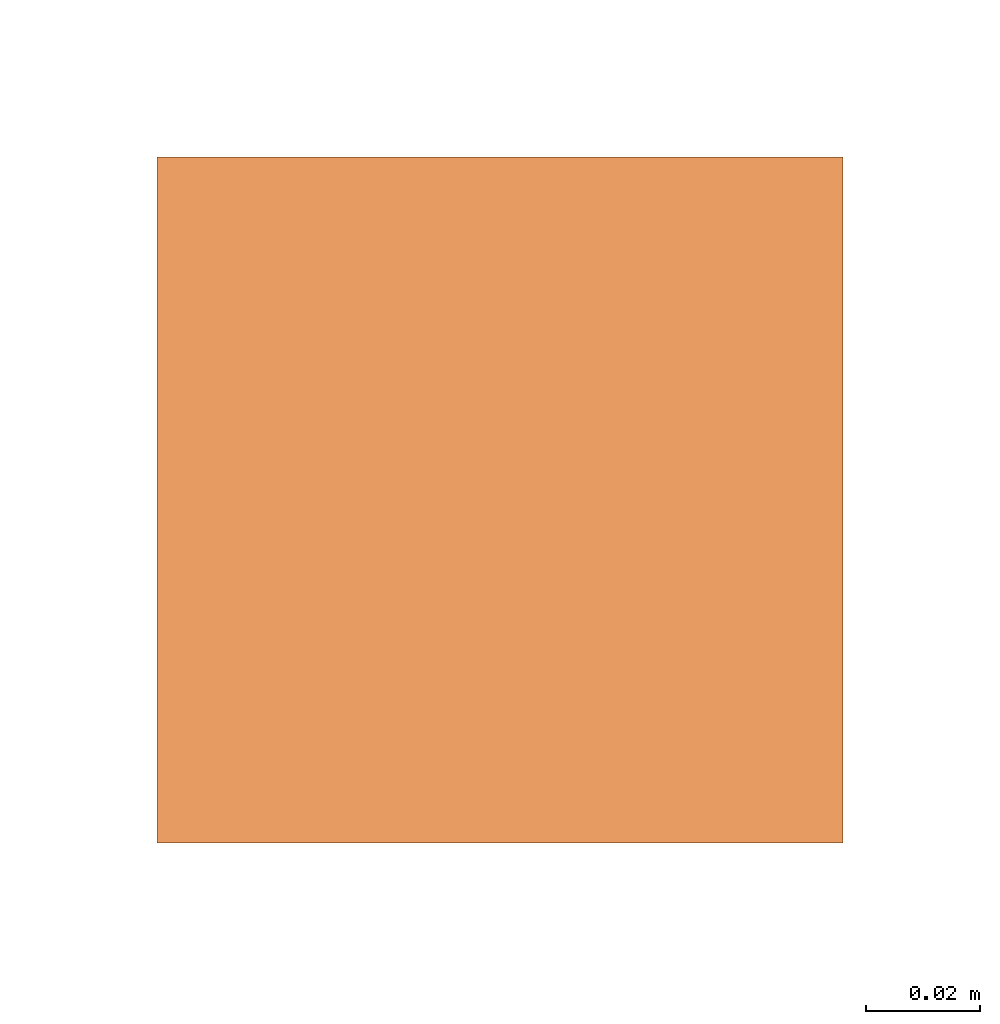
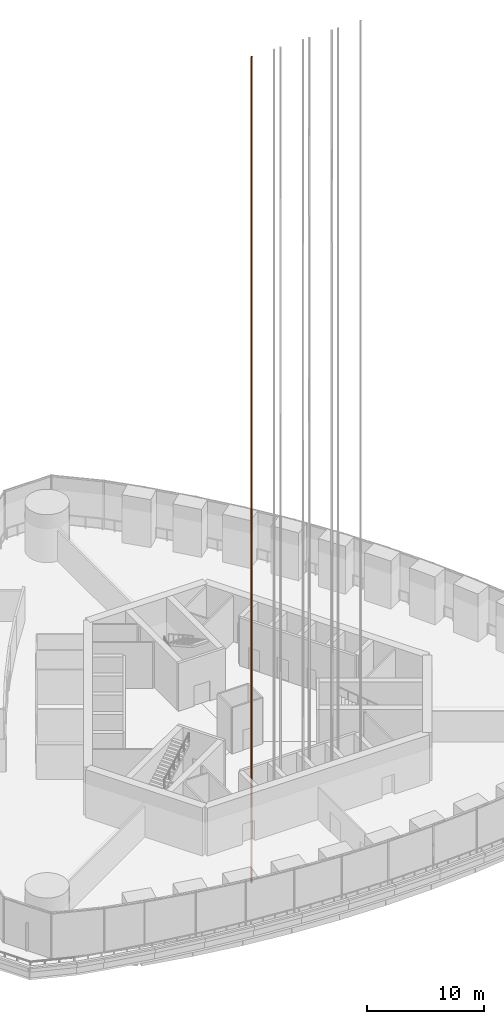
# One storey, part 24 of 31: 1 proxy.
"""IFC4 building model written with IfcOpenShell, lengths in metres."""

from ifc_helpers import new_model, si_unit, direction, frame, origin, origin_2d, place, context, subcontext, project, spatial, rectangle, extrude, element, save


model = new_model("IFC4")

# Units and contexts
model_context = context("Model", 3, precision=1e-05, world=origin(), true_north=direction((0.0, 1.0)))
body_context = subcontext(model_context, "Body", "Model", "MODEL_VIEW")
ifc_project = project(units=[si_unit("LENGTHUNIT", "METRE"), si_unit("AREAUNIT", "SQUARE_METRE"), si_unit("VOLUMEUNIT", "CUBIC_METRE"), si_unit("PLANEANGLEUNIT", "RADIAN"), si_unit("MASSUNIT", "GRAM", prefix="KILO")], contexts=[model_context])

# Site, building, storey
site_placement = place(None, origin())
site = spatial("IfcSite", under=ifc_project, at=site_placement, CompositionType="ELEMENT")
building_placement = place(site_placement, origin())
building = spatial("IfcBuilding", under=site, at=building_placement, Name="Trefoil Bronze Tower", CompositionType="ELEMENT")
storey_placement = place(building_placement, frame((0.0, 0.0, 184.699951171875)))
storey = spatial("IfcBuildingStorey", under=building, at=storey_placement, Name="L42", CompositionType="ELEMENT", Elevation=184.699951171875)

# Proxy
proxy_placement = place(storey_placement, frame((-5.385009765625, -11.3125, -6.0), z_axis=(0.0, 0.0, 1.0), x_axis=(1.0, 0.0, 0.0)))
element("IfcBuildingElementProxy", 1, at=proxy_placement, inside=storey, Name="Lift P31 guide rail 1", ObjectType="LIFT GUIDE RAIL", PredefinedType="USERDEFINED", context=body_context, shape_type="SweptSolid", body=[
    extrude(rectangle(XDim=0.1201171875, YDim=0.1201171875, at=origin_2d()), origin(), (0.0, 0.0, 1.0), 86.25),
])

save(model, "model.ifc")
